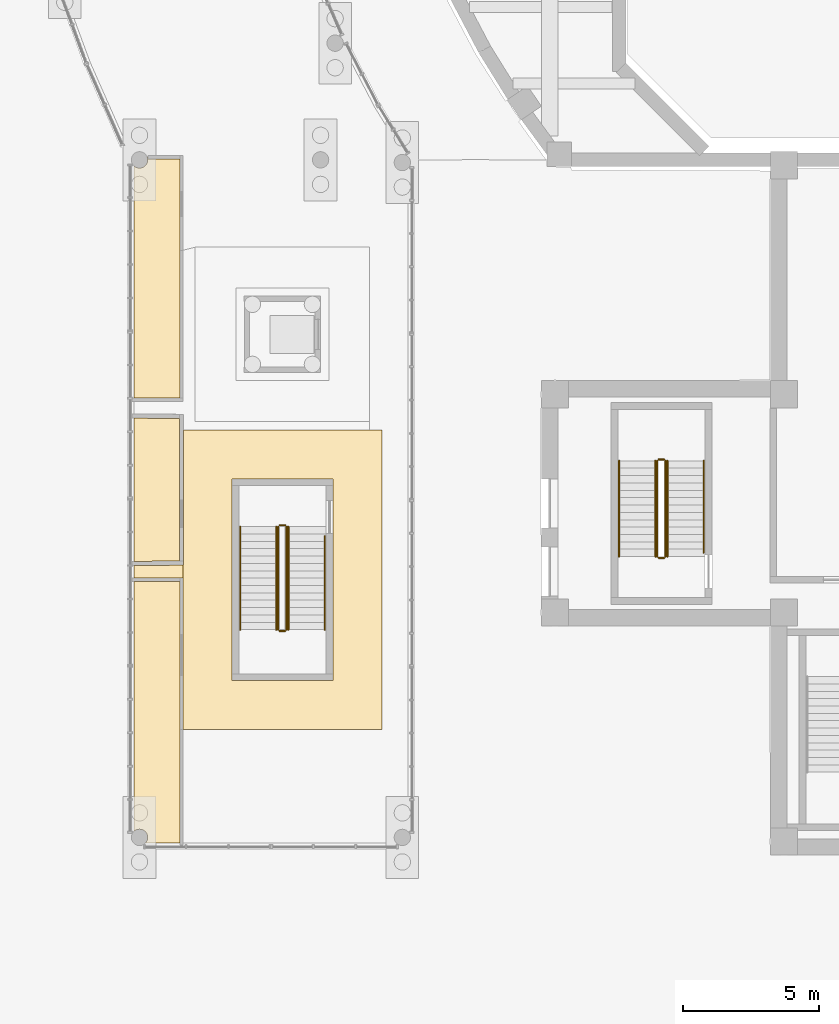
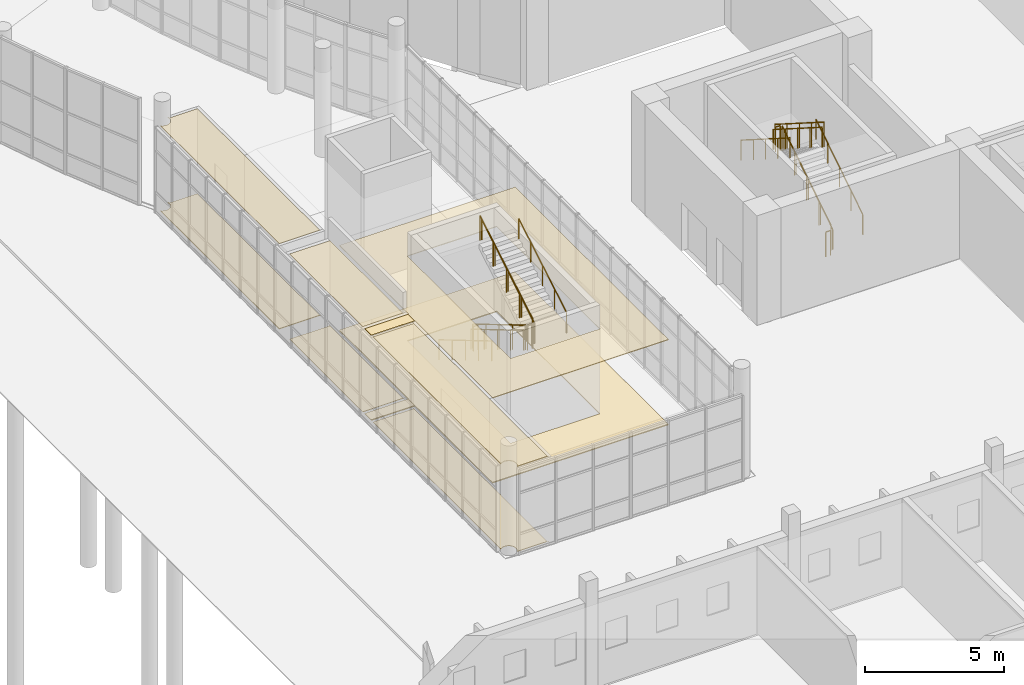
# One storey, part 81 of 110: 16 railings, 10 coverings.
"""IFC4 building model written with IfcOpenShell, lengths in metres."""

from ifc_helpers import new_model, si_unit, direction, frame, origin, origin_2d, place, context, subcontext, project, spatial, polyline, circle, outline, extrude, material, layer, layer_set, type_object, element, save


model = new_model("IFC4")

# Units and contexts
model_context = context("Model", 3, precision=1e-05, world=origin(), true_north=direction((0.0, 1.0)))
body_context = subcontext(model_context, "Body", "Model", "MODEL_VIEW")
ifc_project = project(units=[si_unit("LENGTHUNIT", "METRE"), si_unit("AREAUNIT", "SQUARE_METRE"), si_unit("VOLUMEUNIT", "CUBIC_METRE"), si_unit("PLANEANGLEUNIT", "RADIAN"), si_unit("MASSUNIT", "GRAM", prefix="KILO")], contexts=[model_context])

# Site, building, storey
site_placement = place(None, origin())
site = spatial("IfcSite", under=ifc_project, at=site_placement, CompositionType="ELEMENT")
building_placement = place(site_placement, origin())
building = spatial("IfcBuilding", under=site, at=building_placement, Name="Larchfold Concert Hall", CompositionType="ELEMENT")
storey_placement = place(building_placement, origin())
storey = spatial("IfcBuildingStorey", under=building, at=storey_placement, Name="L00", CompositionType="ELEMENT", Elevation=0.0)

# Coverings
ifc_material_1 = material(Name="Mineral fibre ceiling tile")
ifc_layer_1 = layer(ifc_material_1, 0.02001953125)
ifc_layer_set_1 = layer_set([ifc_layer_1], Name="Mineral fibre ceiling tile")
covering_type_1 = type_object("IfcCoveringType", Name="Ceiling mineral fibre tile 20", PredefinedType="CEILING", material=ifc_layer_set_1)
covering_1_placement = place(storey_placement, frame((0.0, 0.0, 3.72998046875)))
element("IfcCovering", 1, at=covering_1_placement, inside=storey, type_object=covering_type_1, Name="Ceiling Garden Store", PredefinedType="CEILING", context=body_context, shape_type="SweptSolid", body=[
    extrude(outline(polyline([(12.22412109375, 49.984619140625), (12.223876953125, 49.919189453125), (10.558349609375, 49.925048828125), (10.558349609375, 44.675048828125), (12.300048828125, 44.68408203125), (12.22509765625, 44.68408203125), (12.22412109375, 49.984619140625)])), origin(), (0.0, 0.0, 1.0), 0.02001953125),
])
covering_2_placement = place(storey_placement, frame((0.0, 0.0, 3.72998046875)))
element("IfcCovering", 2, at=covering_2_placement, inside=storey, type_object=covering_type_1, Name="Ceiling Public Toilets 05", PredefinedType="CEILING", context=body_context, shape_type="SweptSolid", body=[
    extrude(outline(polyline([(10.558349609375, 59.1767578125), (10.558349609375, 50.66259765625), (12.289794921875, 50.66845703125), (12.236572265625, 50.66845703125), (12.237548828125, 59.4375), (11.078125, 59.4375), (11.078125, 59.5), (11.040283203125, 59.5), (11.055419921875, 59.43896484375), (11.05810546875, 59.39990234375), (11.0478515625, 59.322265625), (11.017822265625, 59.25), (10.97021484375, 59.187744140625), (10.940673828125, 59.161865234375), (10.872802734375, 59.122802734375), (10.797119140625, 59.1025390625), (10.758056640625, 59.099853515625), (10.718994140625, 59.1025390625), (10.643310546875, 59.122802734375), (10.608154296875, 59.14013671875), (10.558349609375, 59.1767578125)])), origin(), (0.0, 0.0, 1.0), 0.02001953125),
])
ifc_material_2 = material(Name="Plasterboard ceiling lining")
ifc_layer_2 = layer(ifc_material_2, 0.030029296875)
ifc_layer_set_2 = layer_set([ifc_layer_2], Name="Plasterboard ceiling lining")
covering_type_2 = type_object("IfcCoveringType", Name="Ceiling suspended plasterboard 30", PredefinedType="CEILING", material=ifc_layer_set_2)
covering_3_placement = place(storey_placement, frame((0.0, 0.0, 3.719970703125)))
element("IfcCovering", 3, at=covering_3_placement, inside=storey, type_object=covering_type_2, Name="Ceiling Foyer 04", PredefinedType="CEILING", context=body_context, shape_type="SweptSolid", body=[
    extrude(outline(polyline([(10.558349609375, 44.55224609375), (10.558349609375, 44.0625), (12.350341796875, 44.056396484375), (12.350341796875, 44.5341796875), (10.55859375, 44.525146484375), (10.558349609375, 44.55224609375)])), origin(), (0.0, 0.0, 1.0), 0.030029296875),
])
covering_4_placement = place(storey_placement, frame((0.0, 0.0, 3.719970703125)))
element("IfcCovering", 4, at=covering_4_placement, inside=storey, type_object=covering_type_2, Name="Ceiling Foyer 04", PredefinedType="CEILING", context=body_context, shape_type="SweptSolid", body=[
    extrude(outline(polyline([(12.37548828125, 44.534423828125), (12.350830078125, 44.5341796875), (12.350830078125, 44.056396484375), (12.361572265625, 44.056396484375), (12.362548828125, 38.50048828125), (19.649169921875, 38.5009765625), (19.649169921875, 49.4990234375), (12.374267578125, 49.4990234375), (12.37548828125, 44.534423828125)]), holes=[polyline([(14.14990234375, 40.300048828125), (14.14990234375, 47.699951171875), (17.85009765625, 47.699951171875), (17.85009765625, 40.300048828125), (14.14990234375, 40.300048828125)])]), origin(), (0.0, 0.0, 1.0), 0.030029296875),
])
covering_5_placement = place(storey_placement, frame((0.0, 0.0, 3.719970703125)))
element("IfcCovering", 5, at=covering_5_placement, inside=storey, type_object=covering_type_2, Name="Ceiling Winter Garden Cafe", PredefinedType="CEILING", context=body_context, shape_type="SweptSolid", body=[
    extrude(outline(polyline([(12.236572265625, 43.9970703125), (12.236328125, 43.931640625), (10.558349609375, 43.9375), (10.558349609375, 34.773193359375), (10.608154296875, 34.809814453125), (10.643310546875, 34.8271484375), (10.718994140625, 34.847412109375), (10.758056640625, 34.85009765625), (10.797119140625, 34.847412109375), (10.872802734375, 34.8271484375), (10.940673828125, 34.7880859375), (10.97021484375, 34.76220703125), (11.017822265625, 34.699951171875), (11.03515625, 34.664794921875), (11.0478515625, 34.627685546875), (11.05810546875, 34.550048828125), (11.0478515625, 34.472412109375), (11.03515625, 34.435302734375), (11.017822265625, 34.400146484375), (10.980712890625, 34.349853515625), (12.300048828125, 34.349853515625), (12.237548828125, 34.35009765625), (12.236572265625, 43.9970703125)])), origin(), (0.0, 0.0, 1.0), 0.030029296875),
])
ifc_material_3 = material(Name="Ceramic tile")
ifc_layer_3 = layer(ifc_material_3, 0.030029296875)
ifc_layer_set_3 = layer_set([ifc_layer_3], Name="Ceramic tile")
covering_type_3 = type_object("IfcCoveringType", Name="Floor finish ceramic tile 30", PredefinedType="FLOORING", material=ifc_layer_set_3)
covering_6_placement = place(storey_placement, origin())
element("IfcCovering", 6, at=covering_6_placement, inside=storey, type_object=covering_type_3, Name="Floor finish Public Toilets 05", PredefinedType="FLOORING", context=body_context, shape_type="SweptSolid", body=[
    extrude(outline(polyline([(10.558349609375, 59.1767578125), (10.558349609375, 50.66259765625), (12.289794921875, 50.66845703125), (12.236572265625, 50.66845703125), (12.237548828125, 59.4375), (11.078125, 59.4375), (11.078125, 59.5), (11.040283203125, 59.5), (11.055419921875, 59.43896484375), (11.05810546875, 59.39990234375), (11.0478515625, 59.322265625), (11.017822265625, 59.25), (10.97021484375, 59.187744140625), (10.940673828125, 59.161865234375), (10.872802734375, 59.122802734375), (10.797119140625, 59.1025390625), (10.758056640625, 59.099853515625), (10.718994140625, 59.1025390625), (10.643310546875, 59.122802734375), (10.608154296875, 59.14013671875), (10.558349609375, 59.1767578125)])), origin(), (0.0, 0.0, 1.0), 0.030029296875),
])
ifc_material_4 = material(Name="Polished terrazzo")
ifc_layer_4 = layer(ifc_material_4, 0.0400390625)
ifc_layer_set_4 = layer_set([ifc_layer_4], Name="Polished terrazzo")
covering_type_4 = type_object("IfcCoveringType", Name="Floor finish terrazzo 40", PredefinedType="FLOORING", material=ifc_layer_set_4)
covering_7_placement = place(storey_placement, origin())
element("IfcCovering", 7, at=covering_7_placement, inside=storey, type_object=covering_type_4, Name="Floor finish Foyer 04", PredefinedType="FLOORING", context=body_context, shape_type="SweptSolid", body=[
    extrude(outline(polyline([(10.558349609375, 44.55224609375), (10.558349609375, 44.0625), (12.350341796875, 44.056396484375), (12.350341796875, 44.5341796875), (10.55859375, 44.525146484375), (10.558349609375, 44.55224609375)])), origin(), (0.0, 0.0, 1.0), 0.0400390625),
])
covering_8_placement = place(storey_placement, origin())
element("IfcCovering", 8, at=covering_8_placement, inside=storey, type_object=covering_type_4, Name="Floor finish Foyer 04", PredefinedType="FLOORING", context=body_context, shape_type="SweptSolid", body=[
    extrude(outline(polyline([(12.37548828125, 44.534423828125), (12.350830078125, 44.5341796875), (12.350830078125, 44.056396484375), (12.361572265625, 44.056396484375), (12.362548828125, 38.50048828125), (19.649169921875, 38.5009765625), (19.649169921875, 49.4990234375), (12.374267578125, 49.4990234375), (12.37548828125, 44.534423828125)]), holes=[polyline([(14.14990234375, 40.300048828125), (14.14990234375, 47.699951171875), (17.85009765625, 47.699951171875), (17.85009765625, 40.300048828125), (14.14990234375, 40.300048828125)])]), origin(), (0.0, 0.0, 1.0), 0.0400390625),
])
ifc_material_5 = material(Name="Linoleum sheet")
ifc_layer_5 = layer(ifc_material_5, 0.02001953125)
ifc_layer_set_5 = layer_set([ifc_layer_5], Name="Linoleum sheet")
covering_type_5 = type_object("IfcCoveringType", Name="Floor finish vinyl 20", PredefinedType="FLOORING", material=ifc_layer_set_5)
covering_9_placement = place(storey_placement, origin())
element("IfcCovering", 9, at=covering_9_placement, inside=storey, type_object=covering_type_5, Name="Floor finish Winter Garden Cafe", PredefinedType="FLOORING", context=body_context, shape_type="SweptSolid", body=[
    extrude(outline(polyline([(12.236572265625, 43.9970703125), (12.236328125, 43.931640625), (10.558349609375, 43.9375), (10.558349609375, 34.773193359375), (10.608154296875, 34.809814453125), (10.643310546875, 34.8271484375), (10.718994140625, 34.847412109375), (10.758056640625, 34.85009765625), (10.797119140625, 34.847412109375), (10.872802734375, 34.8271484375), (10.940673828125, 34.7880859375), (10.97021484375, 34.76220703125), (11.017822265625, 34.699951171875), (11.03515625, 34.664794921875), (11.0478515625, 34.627685546875), (11.05810546875, 34.550048828125), (11.0478515625, 34.472412109375), (11.03515625, 34.435302734375), (11.017822265625, 34.400146484375), (10.980712890625, 34.349853515625), (12.300048828125, 34.349853515625), (12.237548828125, 34.35009765625), (12.236572265625, 43.9970703125)])), origin(), (0.0, 0.0, 1.0), 0.02001953125),
])
covering_10_placement = place(storey_placement, origin())
element("IfcCovering", 10, at=covering_10_placement, inside=storey, type_object=covering_type_5, Name="Floor finish Garden Store", PredefinedType="FLOORING", context=body_context, shape_type="SweptSolid", body=[
    extrude(outline(polyline([(12.22412109375, 49.984619140625), (12.223876953125, 49.919189453125), (10.558349609375, 49.925048828125), (10.558349609375, 44.675048828125), (12.300048828125, 44.68408203125), (12.22509765625, 44.68408203125), (12.22412109375, 49.984619140625)])), origin(), (0.0, 0.0, 1.0), 0.02001953125),
])

# Railings
ifc_material_6 = material(Name="Stainless steel balustrade", Category="steel")
railing_type_1 = type_object("IfcRailingType", Name="Stair guard 1100", PredefinedType="GUARDRAIL", material=ifc_material_6)
railing_1_placement = place(storey_placement, frame((30.050048828125, 44.85009765625, 0.17138671875)))
element("IfcRailing", 11, at=railing_1_placement, inside=storey, type_object=railing_type_1, Name="Guard GR0037", PredefinedType="GUARDRAIL", context=body_context, shape_type="SweptSolid", body=[
    extrude(circle(Radius=0.02392578125, at=origin_2d()), frame((0.0, 0.0, 1.076171875), z_axis=(0.0, 0.844219563411, 0.53599750816), x_axis=(-1.0, 0.0, 0.0)), (0.0, 0.0, 1.0), 4.15771484375),
    extrude(circle(Radius=0.02099609375, at=origin_2d()), origin(), (0.0, 0.0, 1.0), 1.052001953125),
    extrude(circle(Radius=0.02099609375, at=origin_2d()), frame((0.0, 0.87744140625, 0.55712890625)), (0.0, 0.0, 1.0), 1.052001953125),
    extrude(circle(Radius=0.02099609375, at=origin_2d()), frame((0.0, 1.7548828125, 1.1142578125)), (0.0, 0.0, 1.0), 1.052001953125),
    extrude(circle(Radius=0.02099609375, at=origin_2d()), frame((0.0, 2.632568359375, 1.67138671875)), (0.0, 0.0, 1.0), 1.052001953125),
    extrude(circle(Radius=0.02099609375, at=origin_2d()), frame((0.0, 3.510009765625, 2.228515625)), (0.0, 0.0, 1.0), 1.052001953125),
])
railing_2_placement = place(storey_placement, frame((30.0, 48.41015625, 2.39990234375)))
element("IfcRailing", 12, at=railing_2_placement, inside=storey, type_object=railing_type_1, Name="Guard GR0038", PredefinedType="GUARDRAIL", context=body_context, shape_type="SweptSolid", body=[
    extrude(circle(Radius=0.02392578125, at=origin_2d()), frame((0.0, 0.0, 1.076171875), z_axis=(-1.0, 0.0, 0.0), x_axis=(0.0, -1.0, 0.0)), (0.0, 0.0, 1.0), 0.199951171875),
    extrude(circle(Radius=0.02099609375, at=origin_2d()), origin(), (0.0, 0.0, 1.0), 1.052001953125),
    extrude(circle(Radius=0.02099609375, at=origin_2d()), frame((-0.199951171875, 0.0, 0.0)), (0.0, 0.0, 1.0), 1.052001953125),
])
railing_3_placement = place(storey_placement, frame((29.75, 48.360107421875, 2.571533203125)))
element("IfcRailing", 13, at=railing_3_placement, inside=storey, type_object=railing_type_1, Name="Guard GR0039", PredefinedType="GUARDRAIL", context=body_context, shape_type="SweptSolid", body=[
    extrude(circle(Radius=0.02392578125, at=origin_2d()), frame((0.0, 0.0, 1.076171875), z_axis=(0.0, -0.844219563411, 0.53599750816), x_axis=(1.0, 0.0, 0.0)), (0.0, 0.0, 1.0), 4.15771484375),
    extrude(circle(Radius=0.02099609375, at=origin_2d()), origin(), (0.0, 0.0, 1.0), 1.052001953125),
    extrude(circle(Radius=0.02099609375, at=origin_2d()), frame((0.0, -0.87744140625, 0.55712890625)), (0.0, 0.0, 1.0), 1.052001953125),
    extrude(circle(Radius=0.02099609375, at=origin_2d()), frame((0.0, -1.7548828125, 1.1142578125)), (0.0, 0.0, 1.0), 1.052001953125),
    extrude(circle(Radius=0.02099609375, at=origin_2d()), frame((0.0, -2.632568359375, 1.67138671875)), (0.0, 0.0, 1.0), 1.052001953125),
    extrude(circle(Radius=0.02099609375, at=origin_2d()), frame((0.0, -3.510009765625, 2.228515625)), (0.0, 0.0, 1.0), 1.052001953125),
])
railing_4_placement = place(storey_placement, frame((30.0, 44.800048828125, 0.0)))
element("IfcRailing", 14, at=railing_4_placement, inside=storey, type_object=railing_type_1, Name="Guard GR0040", PredefinedType="GUARDRAIL", context=body_context, shape_type="SweptSolid", body=[
    extrude(circle(Radius=0.02392578125, at=origin_2d()), frame((0.0, 0.0, 1.076171875), z_axis=(-1.0, 0.0, 0.0), x_axis=(0.0, -1.0, 0.0)), (0.0, 0.0, 1.0), 0.199951171875),
    extrude(circle(Radius=0.02099609375, at=origin_2d()), origin(), (0.0, 0.0, 1.0), 1.052001953125),
    extrude(circle(Radius=0.02099609375, at=origin_2d()), frame((-0.199951171875, 0.0, 0.0)), (0.0, 0.0, 1.0), 1.052001953125),
])
railing_5_placement = place(storey_placement, frame((15.849853515625, 45.949951171875, 0.159912109375)))
element("IfcRailing", 15, at=railing_5_placement, inside=storey, type_object=railing_type_1, Name="Guard GR0093", PredefinedType="GUARDRAIL", context=body_context, shape_type="SweptSolid", body=[
    extrude(circle(Radius=0.02392578125, at=origin_2d()), frame((0.0, 0.0, 1.076171875), z_axis=(0.0, -0.860294241299, 0.509797821089), x_axis=(1.0, 0.0, 0.0)), (0.0, 0.0, 1.0), 4.393798828125),
    extrude(circle(Radius=0.02099609375, at=origin_2d()), origin(), (0.0, 0.0, 1.0), 1.052001953125),
    extrude(circle(Radius=0.02099609375, at=origin_2d()), frame((0.0, -0.945068359375, 0.56005859375)), (0.0, 0.0, 1.0), 1.052001953125),
    extrude(circle(Radius=0.02099609375, at=origin_2d()), frame((0.0, -1.89013671875, 1.1201171875)), (0.0, 0.0, 1.0), 1.052001953125),
    extrude(circle(Radius=0.02099609375, at=origin_2d()), frame((0.0, -2.8349609375, 1.679931640625)), (0.0, 0.0, 1.0), 1.052001953125),
    extrude(circle(Radius=0.02099609375, at=origin_2d()), frame((0.0, -3.780029296875, 2.239990234375)), (0.0, 0.0, 1.0), 1.052001953125),
])
railing_6_placement = place(storey_placement, frame((15.89990234375, 42.119873046875, 2.39990234375)))
element("IfcRailing", 16, at=railing_6_placement, inside=storey, type_object=railing_type_1, Name="Guard GR0094", PredefinedType="GUARDRAIL", context=body_context, shape_type="SweptSolid", body=[
    extrude(circle(Radius=0.02392578125, at=origin_2d()), frame((0.0, 0.0, 1.076171875), z_axis=(1.0, 0.0, 0.0), x_axis=(0.0, 1.0, 0.0)), (0.0, 0.0, 1.0), 0.199951171875),
    extrude(circle(Radius=0.02099609375, at=origin_2d()), origin(), (0.0, 0.0, 1.0), 1.052001953125),
    extrude(circle(Radius=0.02099609375, at=origin_2d()), frame((0.199951171875, 0.0, 0.0)), (0.0, 0.0, 1.0), 1.052001953125),
])
railing_7_placement = place(storey_placement, frame((16.14990234375, 42.169921875, 2.56005859375)))
element("IfcRailing", 17, at=railing_7_placement, inside=storey, type_object=railing_type_1, Name="Guard GR0095", PredefinedType="GUARDRAIL", context=body_context, shape_type="SweptSolid", body=[
    extrude(circle(Radius=0.02392578125, at=origin_2d()), frame((0.0, 0.0, 1.076171875), z_axis=(0.0, 0.860294241299, 0.509797821089), x_axis=(-1.0, 0.0, 0.0)), (0.0, 0.0, 1.0), 4.393798828125),
    extrude(circle(Radius=0.02099609375, at=origin_2d()), origin(), (0.0, 0.0, 1.0), 1.052001953125),
    extrude(circle(Radius=0.02099609375, at=origin_2d()), frame((0.0, 0.945068359375, 0.56005859375)), (0.0, 0.0, 1.0), 1.052001953125),
    extrude(circle(Radius=0.02099609375, at=origin_2d()), frame((0.0, 1.89013671875, 1.1201171875)), (0.0, 0.0, 1.0), 1.052001953125),
    extrude(circle(Radius=0.02099609375, at=origin_2d()), frame((0.0, 2.8349609375, 1.679931640625)), (0.0, 0.0, 1.0), 1.052001953125),
    extrude(circle(Radius=0.02099609375, at=origin_2d()), frame((0.0, 3.780029296875, 2.239990234375)), (0.0, 0.0, 1.0), 1.052001953125),
])
railing_8_placement = place(storey_placement, frame((15.89990234375, 46.0, 0.0)))
element("IfcRailing", 18, at=railing_8_placement, inside=storey, type_object=railing_type_1, Name="Guard GR0096", PredefinedType="GUARDRAIL", context=body_context, shape_type="SweptSolid", body=[
    extrude(circle(Radius=0.02392578125, at=origin_2d()), frame((0.0, 0.0, 1.076171875), z_axis=(1.0, 0.0, 0.0), x_axis=(0.0, 1.0, 0.0)), (0.0, 0.0, 1.0), 0.199951171875),
    extrude(circle(Radius=0.02099609375, at=origin_2d()), origin(), (0.0, 0.0, 1.0), 1.052001953125),
    extrude(circle(Radius=0.02099609375, at=origin_2d()), frame((0.199951171875, 0.0, 0.0)), (0.0, 0.0, 1.0), 1.052001953125),
])
ifc_material_7 = material(Name="Stainless steel handrail", Category="steel")
railing_type_2 = type_object("IfcRailingType", Name="Stair handrail 900", PredefinedType="HANDRAIL", material=ifc_material_7)
railing_9_placement = place(storey_placement, frame((31.449951171875, 45.000244140625, 0.266845703125)))
element("IfcRailing", 19, at=railing_9_placement, inside=storey, type_object=railing_type_2, Name="Handrail HR0033", PredefinedType="HANDRAIL", context=body_context, shape_type="SweptSolid", body=[
    extrude(circle(Radius=0.02392578125, at=origin_2d()), frame((0.0, 0.0, 0.8759765625), z_axis=(0.0, 0.844234404946, 0.535974131377), x_axis=(-1.0, 0.0, 0.0)), (0.0, 0.0, 1.0), 3.979736328125),
    extrude(circle(Radius=0.02099609375, at=origin_2d()), origin(), (0.0, 0.0, 1.0), 0.851806640625),
    extrude(circle(Radius=0.02099609375, at=origin_2d()), frame((0.0, 0.83984375, 0.533203125)), (0.0, 0.0, 1.0), 0.851806640625),
    extrude(circle(Radius=0.02099609375, at=origin_2d()), frame((0.0, 1.679931640625, 1.06640625)), (0.0, 0.0, 1.0), 0.851806640625),
    extrude(circle(Radius=0.02099609375, at=origin_2d()), frame((0.0, 2.52001953125, 1.599853515625)), (0.0, 0.0, 1.0), 0.851806640625),
    extrude(circle(Radius=0.02099609375, at=origin_2d()), frame((0.0, 3.35986328125, 2.133056640625)), (0.0, 0.0, 1.0), 0.851806640625),
])
railing_10_placement = place(storey_placement, frame((28.35009765625, 48.360107421875, 2.571533203125)))
element("IfcRailing", 20, at=railing_10_placement, inside=storey, type_object=railing_type_2, Name="Handrail HR0034", PredefinedType="HANDRAIL", context=body_context, shape_type="SweptSolid", body=[
    extrude(circle(Radius=0.02392578125, at=origin_2d()), frame((0.0, 0.0, 0.8759765625), z_axis=(0.0, -0.844219563411, 0.53599750816), x_axis=(1.0, 0.0, 0.0)), (0.0, 0.0, 1.0), 4.15771484375),
    extrude(circle(Radius=0.02099609375, at=origin_2d()), origin(), (0.0, 0.0, 1.0), 0.851806640625),
    extrude(circle(Radius=0.02099609375, at=origin_2d()), frame((0.0, -0.87744140625, 0.55712890625)), (0.0, 0.0, 1.0), 0.851806640625),
    extrude(circle(Radius=0.02099609375, at=origin_2d()), frame((0.0, -1.7548828125, 1.1142578125)), (0.0, 0.0, 1.0), 0.851806640625),
    extrude(circle(Radius=0.02099609375, at=origin_2d()), frame((0.0, -2.632568359375, 1.67138671875)), (0.0, 0.0, 1.0), 0.851806640625),
    extrude(circle(Radius=0.02099609375, at=origin_2d()), frame((0.0, -3.510009765625, 2.228515625)), (0.0, 0.0, 1.0), 0.851806640625),
])
railing_11_placement = place(storey_placement, frame((30.1201171875, 44.85009765625, 0.17138671875)))
element("IfcRailing", 21, at=railing_11_placement, inside=storey, type_object=railing_type_2, Name="Handrail HR0035", PredefinedType="HANDRAIL", context=body_context, shape_type="SweptSolid", body=[
    extrude(circle(Radius=0.02392578125, at=origin_2d()), frame((0.0, 0.0, 0.8759765625), z_axis=(0.0, 0.844219563411, 0.53599750816), x_axis=(-1.0, 0.0, 0.0)), (0.0, 0.0, 1.0), 4.15771484375),
    extrude(circle(Radius=0.02099609375, at=origin_2d()), origin(), (0.0, 0.0, 1.0), 0.851806640625),
    extrude(circle(Radius=0.02099609375, at=origin_2d()), frame((0.0, 0.87744140625, 0.55712890625)), (0.0, 0.0, 1.0), 0.851806640625),
    extrude(circle(Radius=0.02099609375, at=origin_2d()), frame((0.0, 1.7548828125, 1.1142578125)), (0.0, 0.0, 1.0), 0.851806640625),
    extrude(circle(Radius=0.02099609375, at=origin_2d()), frame((0.0, 2.632568359375, 1.67138671875)), (0.0, 0.0, 1.0), 0.851806640625),
    extrude(circle(Radius=0.02099609375, at=origin_2d()), frame((0.0, 3.510009765625, 2.228515625)), (0.0, 0.0, 1.0), 0.851806640625),
])
railing_12_placement = place(storey_placement, frame((29.679931640625, 48.360107421875, 2.571533203125)))
element("IfcRailing", 22, at=railing_12_placement, inside=storey, type_object=railing_type_2, Name="Handrail HR0036", PredefinedType="HANDRAIL", context=body_context, shape_type="SweptSolid", body=[
    extrude(circle(Radius=0.02392578125, at=origin_2d()), frame((0.0, 0.0, 0.8759765625), z_axis=(0.0, -0.844219563411, 0.53599750816), x_axis=(1.0, 0.0, 0.0)), (0.0, 0.0, 1.0), 4.15771484375),
    extrude(circle(Radius=0.02099609375, at=origin_2d()), origin(), (0.0, 0.0, 1.0), 0.851806640625),
    extrude(circle(Radius=0.02099609375, at=origin_2d()), frame((0.0, -0.87744140625, 0.55712890625)), (0.0, 0.0, 1.0), 0.851806640625),
    extrude(circle(Radius=0.02099609375, at=origin_2d()), frame((0.0, -1.7548828125, 1.1142578125)), (0.0, 0.0, 1.0), 0.851806640625),
    extrude(circle(Radius=0.02099609375, at=origin_2d()), frame((0.0, -2.632568359375, 1.67138671875)), (0.0, 0.0, 1.0), 0.851806640625),
    extrude(circle(Radius=0.02099609375, at=origin_2d()), frame((0.0, -3.510009765625, 2.228515625)), (0.0, 0.0, 1.0), 0.851806640625),
])
railing_13_placement = place(storey_placement, frame((14.449951171875, 45.949951171875, 0.159912109375)))
element("IfcRailing", 23, at=railing_13_placement, inside=storey, type_object=railing_type_2, Name="Handrail HR0089", PredefinedType="HANDRAIL", context=body_context, shape_type="SweptSolid", body=[
    extrude(circle(Radius=0.02392578125, at=origin_2d()), frame((0.0, 0.0, 0.8759765625), z_axis=(0.0, -0.860294241299, 0.509797821089), x_axis=(1.0, 0.0, 0.0)), (0.0, 0.0, 1.0), 4.393798828125),
    extrude(circle(Radius=0.02099609375, at=origin_2d()), origin(), (0.0, 0.0, 1.0), 0.851806640625),
    extrude(circle(Radius=0.02099609375, at=origin_2d()), frame((0.0, -0.945068359375, 0.56005859375)), (0.0, 0.0, 1.0), 0.851806640625),
    extrude(circle(Radius=0.02099609375, at=origin_2d()), frame((0.0, -1.89013671875, 1.1201171875)), (0.0, 0.0, 1.0), 0.851806640625),
    extrude(circle(Radius=0.02099609375, at=origin_2d()), frame((0.0, -2.8349609375, 1.679931640625)), (0.0, 0.0, 1.0), 0.851806640625),
    extrude(circle(Radius=0.02099609375, at=origin_2d()), frame((0.0, -3.780029296875, 2.239990234375)), (0.0, 0.0, 1.0), 0.851806640625),
])
railing_14_placement = place(storey_placement, frame((17.5498046875, 42.169921875, 2.56005859375)))
element("IfcRailing", 24, at=railing_14_placement, inside=storey, type_object=railing_type_2, Name="Handrail HR0090", PredefinedType="HANDRAIL", context=body_context, shape_type="SweptSolid", body=[
    extrude(circle(Radius=0.02392578125, at=origin_2d()), frame((0.0, 0.0, 0.8759765625), z_axis=(0.0, 0.860316398594, 0.509760428348), x_axis=(-1.0, 0.0, 0.0)), (0.0, 0.0, 1.0), 3.987060546875),
    extrude(circle(Radius=0.02099609375, at=origin_2d()), origin(), (0.0, 0.0, 1.0), 0.851806640625),
    extrude(circle(Radius=0.02099609375, at=origin_2d()), frame((0.0, 0.857421875, 0.508056640625)), (0.0, 0.0, 1.0), 0.851806640625),
    extrude(circle(Radius=0.02099609375, at=origin_2d()), frame((0.0, 1.715087890625, 1.01611328125)), (0.0, 0.0, 1.0), 0.851806640625),
    extrude(circle(Radius=0.02099609375, at=origin_2d()), frame((0.0, 2.57275390625, 1.5244140625)), (0.0, 0.0, 1.0), 0.851806640625),
    extrude(circle(Radius=0.02099609375, at=origin_2d()), frame((0.0, 3.43017578125, 2.032470703125)), (0.0, 0.0, 1.0), 0.851806640625),
])
railing_15_placement = place(storey_placement, frame((15.77978515625, 45.949951171875, 0.159912109375)))
element("IfcRailing", 25, at=railing_15_placement, inside=storey, type_object=railing_type_2, Name="Handrail HR0091", PredefinedType="HANDRAIL", context=body_context, shape_type="SweptSolid", body=[
    extrude(circle(Radius=0.02392578125, at=origin_2d()), frame((0.0, 0.0, 0.8759765625), z_axis=(0.0, -0.860294241299, 0.509797821089), x_axis=(1.0, 0.0, 0.0)), (0.0, 0.0, 1.0), 4.393798828125),
    extrude(circle(Radius=0.02099609375, at=origin_2d()), origin(), (0.0, 0.0, 1.0), 0.851806640625),
    extrude(circle(Radius=0.02099609375, at=origin_2d()), frame((0.0, -0.945068359375, 0.56005859375)), (0.0, 0.0, 1.0), 0.851806640625),
    extrude(circle(Radius=0.02099609375, at=origin_2d()), frame((0.0, -1.89013671875, 1.1201171875)), (0.0, 0.0, 1.0), 0.851806640625),
    extrude(circle(Radius=0.02099609375, at=origin_2d()), frame((0.0, -2.8349609375, 1.679931640625)), (0.0, 0.0, 1.0), 0.851806640625),
    extrude(circle(Radius=0.02099609375, at=origin_2d()), frame((0.0, -3.780029296875, 2.239990234375)), (0.0, 0.0, 1.0), 0.851806640625),
])
railing_16_placement = place(storey_placement, frame((16.219970703125, 42.169921875, 2.56005859375)))
element("IfcRailing", 26, at=railing_16_placement, inside=storey, type_object=railing_type_2, Name="Handrail HR0092", PredefinedType="HANDRAIL", context=body_context, shape_type="SweptSolid", body=[
    extrude(circle(Radius=0.02392578125, at=origin_2d()), frame((0.0, 0.0, 0.8759765625), z_axis=(0.0, 0.860294241299, 0.509797821089), x_axis=(-1.0, 0.0, 0.0)), (0.0, 0.0, 1.0), 4.393798828125),
    extrude(circle(Radius=0.02099609375, at=origin_2d()), origin(), (0.0, 0.0, 1.0), 0.851806640625),
    extrude(circle(Radius=0.02099609375, at=origin_2d()), frame((0.0, 0.945068359375, 0.56005859375)), (0.0, 0.0, 1.0), 0.851806640625),
    extrude(circle(Radius=0.02099609375, at=origin_2d()), frame((0.0, 1.89013671875, 1.1201171875)), (0.0, 0.0, 1.0), 0.851806640625),
    extrude(circle(Radius=0.02099609375, at=origin_2d()), frame((0.0, 2.8349609375, 1.679931640625)), (0.0, 0.0, 1.0), 0.851806640625),
    extrude(circle(Radius=0.02099609375, at=origin_2d()), frame((0.0, 3.780029296875, 2.239990234375)), (0.0, 0.0, 1.0), 0.851806640625),
])

save(model, "model.ifc")
